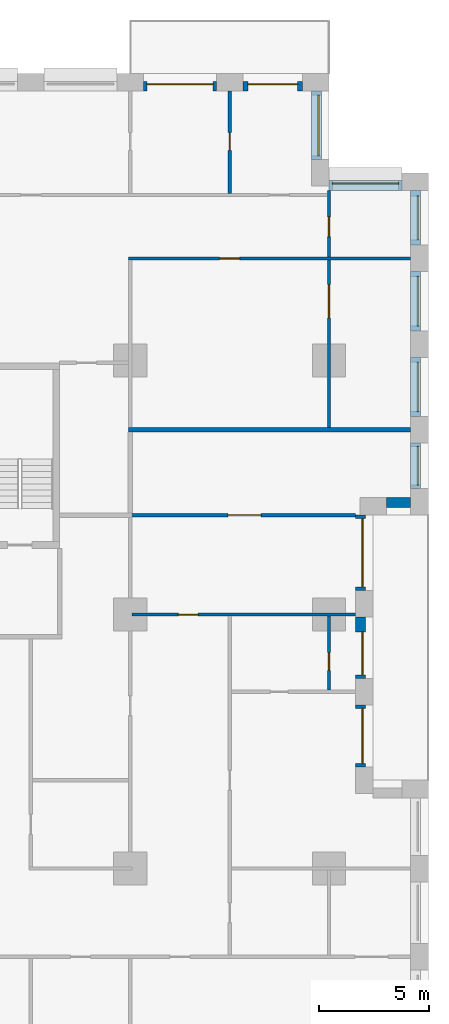
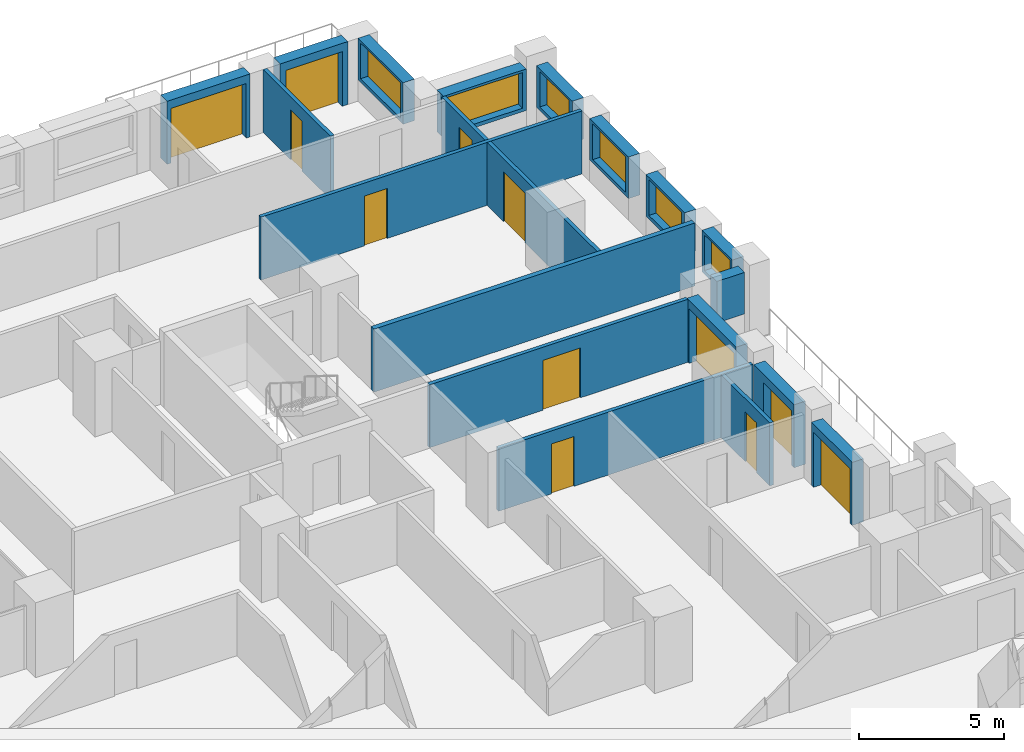
# One storey, part 17 of 20: 20 walls, 12 doors, 6 windows, 18 openings.
"""IFC4 building model written with IfcOpenShell, lengths in metres."""

from ifc_helpers import new_model, si_unit, direction, frame, frame_2d, origin, place, context, subcontext, project, spatial, rectangle, extrude, material, layer, layer_set, type_object, element, fill, save


model = new_model("IFC4")

# Units and contexts
model_context = context("Model", 3, precision=1e-05, world=origin(), true_north=direction((0.0, 1.0)))
body_context = subcontext(model_context, "Body", "Model", "MODEL_VIEW")
ifc_project = project(units=[si_unit("LENGTHUNIT", "METRE"), si_unit("AREAUNIT", "SQUARE_METRE"), si_unit("VOLUMEUNIT", "CUBIC_METRE"), si_unit("PLANEANGLEUNIT", "RADIAN"), si_unit("MASSUNIT", "GRAM", prefix="KILO")], contexts=[model_context])

# Site, building, storey
site_placement = place(None, origin())
site = spatial("IfcSite", under=ifc_project, at=site_placement, CompositionType="ELEMENT")
building_placement = place(site_placement, origin())
building = spatial("IfcBuilding", under=site, at=building_placement, Name="Brigalow Station Residences", CompositionType="ELEMENT")
storey_placement = place(building_placement, frame((0.0, 0.0, 69.89990234375)))
storey = spatial("IfcBuildingStorey", under=building, at=storey_placement, Name="L20", CompositionType="ELEMENT", Elevation=69.89990234375)

# Wall, opening, door
ifc_material_1 = material(Name="Clay brick masonry", Category="masonry")
ifc_layer_1 = layer(ifc_material_1, 0.449951171875)
ifc_layer_set_1 = layer_set([ifc_layer_1], Name="BRICK INFILL WALL 450")
wall_type_1 = type_object("IfcWallType", Name="BRICK INFILL WALL 450", PredefinedType="SOLIDWALL", material=ifc_layer_set_1)
wall_1_placement = place(storey_placement, frame((73.425048828125, 17.10009765625, 0.0), z_axis=(0.0, 0.0, 1.0), x_axis=(0.0, 1.0, 0.0)))
wall_1 = element("IfcWall", 1, at=wall_1_placement, inside=storey, type_object=wall_type_1, Name="L20/ewall/W-L20-15", PredefinedType="SOLIDWALL", context=body_context, shape_type="SweptSolid", body=[
    extrude(rectangle(XDim=2.7998046875, YDim=0.449951171875, at=frame_2d((1.39990234375, 0.0))), origin(), (0.0, 0.0, 1.0), 2.650146484375),
])
opening_1_placement = place(wall_1_placement, frame((0.14990234375, 0.0, 0.0)))
opening_1 = element("IfcOpeningElement", 2, at=opening_1_placement, cuts=wall_1, Name="Opening D-B2500", PredefinedType="OPENING", context=body_context, shape_type="SweptSolid", body=[
    extrude(rectangle(XDim=2.5, YDim=2.300048828125, at=frame_2d((1.25, 1.14990234375))), frame((0.0, 0.23486328125, 0.0), z_axis=(0.0, -1.0, 0.0), x_axis=(1.0, 0.0, 0.0)), (0.0, 0.0, 1.0), 0.469970703125),
])
ifc_material_2 = material(Name="Anodised aluminium frame with double glazing", Category="aluminium")
door_type_1 = type_object("IfcDoorType", Name="BALCONY SLIDING DOOR 2500x2300", OperationType="SLIDING_TO_LEFT", PredefinedType="DOOR", material=ifc_material_2)
door_1_placement = place(opening_1_placement, origin())
door_1 = element("IfcDoor", 3, at=door_1_placement, inside=storey, type_object=door_type_1, Name="L20/balcony-door/W-L20-15", OperationType="SLIDING_TO_LEFT", OverallHeight=2.300048828125, OverallWidth=2.5, PredefinedType="DOOR", context=body_context, shape_type="SweptSolid", body=[
    extrude(rectangle(XDim=2.5, YDim=2.300048828125, at=frame_2d((1.25, 1.14990234375))), frame((0.0, -0.06982421875, 0.0), z_axis=(0.0, -1.0, 0.0), x_axis=(1.0, 0.0, 0.0)), (0.0, 0.0, 1.0), 0.050048828125),
])
fill(opening_1, door_1)

wall_2_placement = place(storey_placement, frame((73.425048828125, 21.10009765625, 0.0), z_axis=(0.0, 0.0, 1.0), x_axis=(0.0, 1.0, 0.0)))
wall_2 = element("IfcWall", 4, at=wall_2_placement, inside=storey, type_object=wall_type_1, Name="L20/ewall/W-L20-16", PredefinedType="SOLIDWALL", context=body_context, shape_type="SweptSolid", body=[
    extrude(rectangle(XDim=2.7998046875, YDim=0.449951171875, at=frame_2d((1.39990234375, 0.0))), origin(), (0.0, 0.0, 1.0), 2.650146484375),
])
opening_2_placement = place(wall_2_placement, frame((0.1650390625, 0.0, 0.0)))
opening_2 = element("IfcOpeningElement", 5, at=opening_2_placement, cuts=wall_2, Name="Opening D-B1950", PredefinedType="OPENING", context=body_context, shape_type="SweptSolid", body=[
    extrude(rectangle(XDim=1.949951171875, YDim=2.300048828125, at=frame_2d((0.97509765625, 1.14990234375))), frame((0.0, 0.23486328125, 0.0), z_axis=(0.0, -1.0, 0.0), x_axis=(1.0, 0.0, 0.0)), (0.0, 0.0, 1.0), 0.469970703125),
])
ifc_material_3 = material(Name="Anodised aluminium frame with double glazing", Category="aluminium")
door_type_2 = type_object("IfcDoorType", Name="BALCONY SLIDING DOOR 1950x2300", OperationType="SLIDING_TO_LEFT", PredefinedType="DOOR", material=ifc_material_3)
door_2_placement = place(opening_2_placement, origin())
door_2 = element("IfcDoor", 6, at=door_2_placement, inside=storey, type_object=door_type_2, Name="L20/balcony-door/W-L20-16", OperationType="SLIDING_TO_LEFT", OverallHeight=2.300048828125, OverallWidth=1.949951171875, PredefinedType="DOOR", context=body_context, shape_type="SweptSolid", body=[
    extrude(rectangle(XDim=1.949951171875, YDim=2.300048828125, at=frame_2d((0.97509765625, 1.14990234375))), frame((0.0, -0.06982421875, 0.0), z_axis=(0.0, -1.0, 0.0), x_axis=(1.0, 0.0, 0.0)), (0.0, 0.0, 1.0), 0.050048828125),
])
fill(opening_2, door_2)

wall_3_placement = place(storey_placement, frame((73.425048828125, 25.10009765625, 0.0), z_axis=(0.0, 0.0, 1.0), x_axis=(0.0, 1.0, 0.0)))
wall_3 = element("IfcWall", 7, at=wall_3_placement, inside=storey, type_object=wall_type_1, Name="L20/ewall/W-L20-17", PredefinedType="SOLIDWALL", context=body_context, shape_type="SweptSolid", body=[
    extrude(rectangle(XDim=3.39990234375, YDim=0.449951171875, at=frame_2d((1.699951171875, 0.0))), origin(), (0.0, 0.0, 1.0), 2.650146484375),
])
opening_3_placement = place(wall_3_placement, frame((0.14990234375, 0.0, 0.0)))
opening_3 = element("IfcOpeningElement", 8, at=opening_3_placement, cuts=wall_3, Name="Opening D-B3100", PredefinedType="OPENING", context=body_context, shape_type="SweptSolid", body=[
    extrude(rectangle(XDim=3.10009765625, YDim=2.300048828125, at=frame_2d((1.550048828125, 1.14990234375))), frame((0.0, 0.23486328125, 0.0), z_axis=(0.0, -1.0, 0.0), x_axis=(1.0, 0.0, 0.0)), (0.0, 0.0, 1.0), 0.469970703125),
])
ifc_material_4 = material(Name="Anodised aluminium frame with double glazing", Category="aluminium")
door_type_3 = type_object("IfcDoorType", Name="BALCONY SLIDING DOOR 3100x2300", OperationType="SLIDING_TO_LEFT", PredefinedType="DOOR", material=ifc_material_4)
door_3_placement = place(opening_3_placement, origin())
door_3 = element("IfcDoor", 9, at=door_3_placement, inside=storey, type_object=door_type_3, Name="L20/balcony-door/W-L20-17", OperationType="SLIDING_TO_LEFT", OverallHeight=2.300048828125, OverallWidth=3.10009765625, PredefinedType="DOOR", context=body_context, shape_type="SweptSolid", body=[
    extrude(rectangle(XDim=3.10009765625, YDim=2.300048828125, at=frame_2d((1.550048828125, 1.14990234375))), frame((0.0, -0.06982421875, 0.0), z_axis=(0.0, -1.0, 0.0), x_axis=(1.0, 0.0, 0.0)), (0.0, 0.0, 1.0), 0.050048828125),
])
fill(opening_3, door_3)

# Wall
wall_4_placement = place(storey_placement, frame((74.60009765625, 29.074951171875, 0.900146484375), z_axis=(0.0, 0.0, 1.0), x_axis=(1.0, 0.0, 0.0)))
element("IfcWall", 10, at=wall_4_placement, inside=storey, type_object=wall_type_1, Name="L20/ewall/W-L20-18", PredefinedType="SOLIDWALL", context=body_context, shape_type="SweptSolid", body=[
    extrude(rectangle(XDim=1.099853515625, YDim=0.449951171875, at=frame_2d((0.5498046875, 0.0))), origin(), (0.0, 0.0, 1.0), 1.75),
])

# Wall, opening, window
wall_5_placement = place(storey_placement, frame((75.925048828125, 29.699951171875, 0.900146484375), z_axis=(0.0, 0.0, 1.0), x_axis=(0.0, 1.0, 0.0)))
wall_5 = element("IfcWall", 11, at=wall_5_placement, inside=storey, type_object=wall_type_1, Name="L20/ewall/W-L20-19", PredefinedType="SOLIDWALL", context=body_context, shape_type="SweptSolid", body=[
    extrude(rectangle(XDim=2.074951171875, YDim=0.449951171875, at=frame_2d((1.03759765625, 0.0))), origin(), (0.0, 0.0, 1.0), 1.75),
])
opening_4_placement = place(wall_5_placement, frame((0.16259765625, 0.0, 0.14990234375)))
opening_4 = element("IfcOpeningElement", 12, at=opening_4_placement, cuts=wall_5, Name="Opening WT-4", PredefinedType="OPENING", context=body_context, shape_type="SweptSolid", body=[
    extrude(rectangle(XDim=1.75, YDim=1.5, at=frame_2d((0.875, 0.75))), frame((0.0, 0.23486328125, 0.0), z_axis=(0.0, -1.0, 0.0), x_axis=(1.0, 0.0, 0.0)), (0.0, 0.0, 1.0), 0.469970703125),
])
ifc_material_5 = material(Name="Anodised aluminium frame with double glazing", Category="aluminium")
window_type_1 = type_object("IfcWindowType", Name="WINDOW 1750x1500", PartitioningType="SINGLE_PANEL", PredefinedType="WINDOW", material=ifc_material_5)
window_1_placement = place(opening_4_placement, origin())
window_1 = element("IfcWindow", 13, at=window_1_placement, inside=storey, type_object=window_type_1, Name="L20/window/W-L20-19", OverallHeight=1.5, OverallWidth=1.75, PartitioningType="SINGLE_PANEL", PredefinedType="WINDOW", context=body_context, shape_type="SweptSolid", body=[
    extrude(rectangle(XDim=1.75, YDim=1.5, at=frame_2d((0.875, 0.75))), frame((0.0, -0.06494140625, 0.0), z_axis=(0.0, -1.0, 0.0), x_axis=(1.0, 0.0, 0.0)), (0.0, 0.0, 1.0), 0.06005859375),
])
fill(opening_4, window_1)

wall_6_placement = place(storey_placement, frame((75.925048828125, 32.97509765625, 0.900146484375), z_axis=(0.0, 0.0, 1.0), x_axis=(0.0, 1.0, 0.0)))
wall_6 = element("IfcWall", 14, at=wall_6_placement, inside=storey, type_object=wall_type_1, Name="L20/ewall/W-L20-20", PredefinedType="SOLIDWALL", context=body_context, shape_type="SweptSolid", body=[
    extrude(rectangle(XDim=2.6748046875, YDim=0.449951171875, at=frame_2d((1.33740234375, 0.0))), origin(), (0.0, 0.0, 1.0), 1.75),
])
opening_5_placement = place(wall_6_placement, frame((0.21240234375, 0.0, 0.14990234375)))
opening_5 = element("IfcOpeningElement", 15, at=opening_5_placement, cuts=wall_6, Name="Opening WT-6", PredefinedType="OPENING", context=body_context, shape_type="SweptSolid", body=[
    extrude(rectangle(XDim=2.25, YDim=1.5, at=frame_2d((1.125, 0.75))), frame((0.0, 0.23486328125, 0.0), z_axis=(0.0, -1.0, 0.0), x_axis=(1.0, 0.0, 0.0)), (0.0, 0.0, 1.0), 0.469970703125),
])
ifc_material_6 = material(Name="Anodised aluminium frame with double glazing", Category="aluminium")
window_type_2 = type_object("IfcWindowType", Name="WINDOW 2250x1500", PartitioningType="SINGLE_PANEL", PredefinedType="WINDOW", material=ifc_material_6)
window_2_placement = place(opening_5_placement, origin())
window_2 = element("IfcWindow", 16, at=window_2_placement, inside=storey, type_object=window_type_2, Name="L20/window/W-L20-20", OverallHeight=1.5, OverallWidth=2.25, PartitioningType="SINGLE_PANEL", PredefinedType="WINDOW", context=body_context, shape_type="SweptSolid", body=[
    extrude(rectangle(XDim=2.25, YDim=1.5, at=frame_2d((1.125, 0.75))), frame((0.0, -0.06494140625, 0.0), z_axis=(0.0, -1.0, 0.0), x_axis=(1.0, 0.0, 0.0)), (0.0, 0.0, 1.0), 0.06005859375),
])
fill(opening_5, window_2)

wall_7_placement = place(storey_placement, frame((75.925048828125, 36.85009765625, 0.900146484375), z_axis=(0.0, 0.0, 1.0), x_axis=(0.0, 1.0, 0.0)))
wall_7 = element("IfcWall", 17, at=wall_7_placement, inside=storey, type_object=wall_type_1, Name="L20/ewall/W-L20-21", PredefinedType="SOLIDWALL", context=body_context, shape_type="SweptSolid", body=[
    extrude(rectangle(XDim=2.6748046875, YDim=0.449951171875, at=frame_2d((1.33740234375, 0.0))), origin(), (0.0, 0.0, 1.0), 1.75),
])
opening_6_placement = place(wall_7_placement, frame((0.21240234375, 0.0, 0.14990234375)))
opening_6 = element("IfcOpeningElement", 18, at=opening_6_placement, cuts=wall_7, Name="Opening WT-6", PredefinedType="OPENING", context=body_context, shape_type="SweptSolid", body=[
    extrude(rectangle(XDim=2.25, YDim=1.5, at=frame_2d((1.125, 0.75))), frame((0.0, 0.23486328125, 0.0), z_axis=(0.0, -1.0, 0.0), x_axis=(1.0, 0.0, 0.0)), (0.0, 0.0, 1.0), 0.469970703125),
])
window_3_placement = place(opening_6_placement, origin())
window_3 = element("IfcWindow", 19, at=window_3_placement, inside=storey, type_object=window_type_2, Name="L20/window/W-L20-21", OverallHeight=1.5, OverallWidth=2.25, PartitioningType="SINGLE_PANEL", PredefinedType="WINDOW", context=body_context, shape_type="SweptSolid", body=[
    extrude(rectangle(XDim=2.25, YDim=1.5, at=frame_2d((1.125, 0.75))), frame((0.0, -0.06494140625, 0.0), z_axis=(0.0, -1.0, 0.0), x_axis=(1.0, 0.0, 0.0)), (0.0, 0.0, 1.0), 0.06005859375),
])
fill(opening_6, window_3)

wall_8_placement = place(storey_placement, frame((75.925048828125, 40.72509765625, 0.900146484375), z_axis=(0.0, 0.0, 1.0), x_axis=(0.0, 1.0, 0.0)))
wall_8 = element("IfcWall", 20, at=wall_8_placement, inside=storey, type_object=wall_type_1, Name="L20/ewall/W-L20-22", PredefinedType="SOLIDWALL", context=body_context, shape_type="SweptSolid", body=[
    extrude(rectangle(XDim=2.474853515625, YDim=0.449951171875, at=frame_2d((1.2373046875, 0.0))), origin(), (0.0, 0.0, 1.0), 1.75),
])
opening_7_placement = place(wall_8_placement, frame((0.237548828125, 0.0, 0.14990234375)))
opening_7 = element("IfcOpeningElement", 21, at=opening_7_placement, cuts=wall_8, Name="Opening WT-7", PredefinedType="OPENING", context=body_context, shape_type="SweptSolid", body=[
    extrude(rectangle(XDim=2.0, YDim=1.5, at=frame_2d((1.0, 0.75))), frame((0.0, 0.23486328125, 0.0), z_axis=(0.0, -1.0, 0.0), x_axis=(1.0, 0.0, 0.0)), (0.0, 0.0, 1.0), 0.469970703125),
])
ifc_material_7 = material(Name="Anodised aluminium frame with double glazing", Category="aluminium")
window_type_3 = type_object("IfcWindowType", Name="WINDOW 2000x1500", PartitioningType="SINGLE_PANEL", PredefinedType="WINDOW", material=ifc_material_7)
window_4_placement = place(opening_7_placement, origin())
window_4 = element("IfcWindow", 22, at=window_4_placement, inside=storey, type_object=window_type_3, Name="L20/window/W-L20-22", OverallHeight=1.5, OverallWidth=2.0, PartitioningType="SINGLE_PANEL", PredefinedType="WINDOW", context=body_context, shape_type="SweptSolid", body=[
    extrude(rectangle(XDim=2.0, YDim=1.5, at=frame_2d((1.0, 0.75))), frame((0.0, -0.06494140625, 0.0), z_axis=(0.0, -1.0, 0.0), x_axis=(1.0, 0.0, 0.0)), (0.0, 0.0, 1.0), 0.06005859375),
])
fill(opening_7, window_4)

wall_9_placement = place(storey_placement, frame((75.300048828125, 43.425048828125, 0.900146484375), z_axis=(0.0, 0.0, 1.0), x_axis=(-1.0, 0.0, 0.0)))
wall_9 = element("IfcWall", 23, at=wall_9_placement, inside=storey, type_object=wall_type_1, Name="L20/ewall/W-L20-23", PredefinedType="SOLIDWALL", context=body_context, shape_type="SweptSolid", body=[
    extrude(rectangle(XDim=3.300048828125, YDim=0.449951171875, at=frame_2d((1.64990234375, 0.0))), origin(), (0.0, 0.0, 1.0), 1.75),
])
opening_8_placement = place(wall_9_placement, frame((0.14990234375, 0.0, 0.14990234375)))
opening_8 = element("IfcOpeningElement", 24, at=opening_8_placement, cuts=wall_9, Name="Opening WT-2", PredefinedType="OPENING", context=body_context, shape_type="SweptSolid", body=[
    extrude(rectangle(XDim=3.0, YDim=1.5, at=frame_2d((1.5, 0.75))), frame((0.0, 0.23486328125, 0.0), z_axis=(0.0, -1.0, 0.0), x_axis=(1.0, 0.0, 0.0)), (0.0, 0.0, 1.0), 0.469970703125),
])
ifc_material_8 = material(Name="Anodised aluminium frame with double glazing", Category="aluminium")
window_type_4 = type_object("IfcWindowType", Name="WINDOW 3000x1500", PartitioningType="SINGLE_PANEL", PredefinedType="WINDOW", material=ifc_material_8)
window_5_placement = place(opening_8_placement, origin())
window_5 = element("IfcWindow", 25, at=window_5_placement, inside=storey, type_object=window_type_4, Name="L20/window/W-L20-23", OverallHeight=1.5, OverallWidth=3.0, PartitioningType="SINGLE_PANEL", PredefinedType="WINDOW", context=body_context, shape_type="SweptSolid", body=[
    extrude(rectangle(XDim=3.0, YDim=1.5, at=frame_2d((1.5, 0.75))), frame((0.0, -0.06494140625, 0.0), z_axis=(0.0, -1.0, 0.0), x_axis=(1.0, 0.0, 0.0)), (0.0, 0.0, 1.0), 0.06005859375),
])
fill(opening_8, window_5)

wall_10_placement = place(storey_placement, frame((71.425048828125, 44.60009765625, 0.900146484375), z_axis=(0.0, 0.0, 1.0), x_axis=(0.0, 1.0, 0.0)))
wall_10 = element("IfcWall", 26, at=wall_10_placement, inside=storey, type_object=wall_type_1, Name="L20/ewall/W-L20-24", PredefinedType="SOLIDWALL", context=body_context, shape_type="SweptSolid", body=[
    extrude(rectangle(XDim=3.099853515625, YDim=0.449951171875, at=frame_2d((1.5498046875, 0.0))), origin(), (0.0, 0.0, 1.0), 1.75),
])
opening_9_placement = place(wall_10_placement, frame((0.175048828125, 0.0, 0.14990234375)))
opening_9 = element("IfcOpeningElement", 27, at=opening_9_placement, cuts=wall_10, Name="Opening WT-3", PredefinedType="OPENING", context=body_context, shape_type="SweptSolid", body=[
    extrude(rectangle(XDim=2.75, YDim=1.5, at=frame_2d((1.375, 0.75))), frame((0.0, 0.23486328125, 0.0), z_axis=(0.0, -1.0, 0.0), x_axis=(1.0, 0.0, 0.0)), (0.0, 0.0, 1.0), 0.469970703125),
])
ifc_material_9 = material(Name="Anodised aluminium frame with double glazing", Category="aluminium")
window_type_5 = type_object("IfcWindowType", Name="WINDOW 2750x1500", PartitioningType="SINGLE_PANEL", PredefinedType="WINDOW", material=ifc_material_9)
window_6_placement = place(opening_9_placement, origin())
window_6 = element("IfcWindow", 28, at=window_6_placement, inside=storey, type_object=window_type_5, Name="L20/window/W-L20-24", OverallHeight=1.5, OverallWidth=2.75, PartitioningType="SINGLE_PANEL", PredefinedType="WINDOW", context=body_context, shape_type="SweptSolid", body=[
    extrude(rectangle(XDim=2.75, YDim=1.5, at=frame_2d((1.375, 0.75))), frame((0.0, -0.06494140625, 0.0), z_axis=(0.0, -1.0, 0.0), x_axis=(1.0, 0.0, 0.0)), (0.0, 0.0, 1.0), 0.06005859375),
])
fill(opening_9, window_6)

# Wall, opening, door
wall_11_placement = place(storey_placement, frame((70.800048828125, 47.925048828125, 0.0), z_axis=(0.0, 0.0, 1.0), x_axis=(-1.0, 0.0, 0.0)))
wall_11 = element("IfcWall", 29, at=wall_11_placement, inside=storey, type_object=wall_type_1, Name="L20/ewall/W-L20-25", PredefinedType="SOLIDWALL", context=body_context, shape_type="SweptSolid", body=[
    extrude(rectangle(XDim=2.699951171875, YDim=0.449951171875, at=frame_2d((1.35009765625, 0.0))), origin(), (0.0, 0.0, 1.0), 2.650146484375),
])
opening_10_placement = place(wall_11_placement, frame((0.22509765625, 0.0, 0.0)))
opening_10 = element("IfcOpeningElement", 30, at=opening_10_placement, cuts=wall_11, Name="Opening D-B2250", PredefinedType="OPENING", context=body_context, shape_type="SweptSolid", body=[
    extrude(rectangle(XDim=2.25, YDim=2.300048828125, at=frame_2d((1.125, 1.14990234375))), frame((0.0, 0.23486328125, 0.0), z_axis=(0.0, -1.0, 0.0), x_axis=(1.0, 0.0, 0.0)), (0.0, 0.0, 1.0), 0.469970703125),
])
ifc_material_10 = material(Name="Anodised aluminium frame with double glazing", Category="aluminium")
door_type_4 = type_object("IfcDoorType", Name="BALCONY SLIDING DOOR 2250x2300", OperationType="SLIDING_TO_LEFT", PredefinedType="DOOR", material=ifc_material_10)
door_4_placement = place(opening_10_placement, origin())
door_4 = element("IfcDoor", 31, at=door_4_placement, inside=storey, type_object=door_type_4, Name="L20/balcony-door/W-L20-25", OperationType="SLIDING_TO_LEFT", OverallHeight=2.300048828125, OverallWidth=2.25, PredefinedType="DOOR", context=body_context, shape_type="SweptSolid", body=[
    extrude(rectangle(XDim=2.25, YDim=2.300048828125, at=frame_2d((1.125, 1.14990234375))), frame((0.0, -0.06982421875, 0.0), z_axis=(0.0, -1.0, 0.0), x_axis=(1.0, 0.0, 0.0)), (0.0, 0.0, 1.0), 0.050048828125),
])
fill(opening_10, door_4)

wall_12_placement = place(storey_placement, frame((66.89990234375, 47.925048828125, 0.0), z_axis=(0.0, 0.0, 1.0), x_axis=(-1.0, 0.0, 0.0)))
wall_12 = element("IfcWall", 32, at=wall_12_placement, inside=storey, type_object=wall_type_1, Name="L20/ewall/W-L20-26", PredefinedType="SOLIDWALL", context=body_context, shape_type="SweptSolid", body=[
    extrude(rectangle(XDim=3.2998046875, YDim=0.449951171875, at=frame_2d((1.64990234375, 0.0))), origin(), (0.0, 0.0, 1.0), 2.650146484375),
])
opening_11_placement = place(wall_12_placement, frame((0.14990234375, 0.0, 0.0)))
opening_11 = element("IfcOpeningElement", 33, at=opening_11_placement, cuts=wall_12, Name="Opening D-B3000", PredefinedType="OPENING", context=body_context, shape_type="SweptSolid", body=[
    extrude(rectangle(XDim=3.0, YDim=2.300048828125, at=frame_2d((1.5, 1.14990234375))), frame((0.0, 0.23486328125, 0.0), z_axis=(0.0, -1.0, 0.0), x_axis=(1.0, 0.0, 0.0)), (0.0, 0.0, 1.0), 0.469970703125),
])
ifc_material_11 = material(Name="Anodised aluminium frame with double glazing", Category="aluminium")
door_type_5 = type_object("IfcDoorType", Name="BALCONY SLIDING DOOR 3000x2300", OperationType="SLIDING_TO_LEFT", PredefinedType="DOOR", material=ifc_material_11)
door_5_placement = place(opening_11_placement, origin())
door_5 = element("IfcDoor", 34, at=door_5_placement, inside=storey, type_object=door_type_5, Name="L20/balcony-door/W-L20-26", OperationType="SLIDING_TO_LEFT", OverallHeight=2.300048828125, OverallWidth=3.0, PredefinedType="DOOR", context=body_context, shape_type="SweptSolid", body=[
    extrude(rectangle(XDim=3.0, YDim=2.300048828125, at=frame_2d((1.5, 1.14990234375))), frame((0.0, -0.06982421875, 0.0), z_axis=(0.0, -1.0, 0.0), x_axis=(1.0, 0.0, 0.0)), (0.0, 0.0, 1.0), 0.050048828125),
])
fill(opening_11, door_5)

ifc_material_12 = material(Name="Plasterboard on steel stud partition", Category="steel")
ifc_layer_2 = layer(ifc_material_12, 0.14990234375)
ifc_layer_set_2 = layer_set([ifc_layer_2], Name="FLAT PARTITION 150")
wall_type_2 = type_object("IfcWallType", Name="FLAT PARTITION 150", PredefinedType="PARTITIONING", material=ifc_layer_set_2)
wall_13_placement = place(storey_placement, frame((63.074951171875, 24.0, 0.0), z_axis=(0.0, 0.0, 1.0), x_axis=(1.0, 0.0, 0.0)))
wall_13 = element("IfcWall", 35, at=wall_13_placement, inside=storey, type_object=wall_type_2, Name="PW-1G03", PredefinedType="PARTITIONING", context=body_context, shape_type="SweptSolid", body=[
    extrude(rectangle(XDim=10.125, YDim=0.14990234375, at=frame_2d((5.0625, 0.0))), origin(), (0.0, 0.0, 1.0), 2.650146484375),
])
opening_12_placement = place(wall_13_placement, frame((2.10009765625, 0.0, 0.0)))
opening_12 = element("IfcOpeningElement", 36, at=opening_12_placement, cuts=wall_13, Name="Opening D-1G55", PredefinedType="OPENING", context=body_context, shape_type="SweptSolid", body=[
    extrude(rectangle(XDim=0.89990234375, YDim=2.10009765625, at=frame_2d((0.449951171875, 1.050048828125))), frame((0.0, 0.0849609375, 0.0), z_axis=(0.0, -1.0, 0.0), x_axis=(1.0, 0.0, 0.0)), (0.0, 0.0, 1.0), 0.169921875),
])
ifc_material_13 = material(Name="Solid-core timber door leaf", Category="wood")
door_type_6 = type_object("IfcDoorType", Name="INTERNAL DOOR 900 x 2100", OperationType="SINGLE_SWING_LEFT", PredefinedType="DOOR", material=ifc_material_13)
door_6_placement = place(opening_12_placement, origin())
door_6 = element("IfcDoor", 37, at=door_6_placement, inside=storey, type_object=door_type_6, Name="D-1G55", OperationType="SINGLE_SWING_LEFT", OverallHeight=2.10009765625, OverallWidth=0.89990234375, PredefinedType="DOOR", context=body_context, shape_type="SweptSolid", body=[
    extrude(rectangle(XDim=0.89990234375, YDim=2.10009765625, at=frame_2d((0.449951171875, 1.050048828125))), frame((0.0, 0.02490234375, 0.0), z_axis=(0.0, -1.0, 0.0), x_axis=(1.0, 0.0, 0.0)), (0.0, 0.0, 1.0), 0.050048828125),
])
fill(opening_12, door_6)

wall_14_placement = place(storey_placement, frame((62.925048828125, 28.5, 0.0), z_axis=(0.0, 0.0, 1.0), x_axis=(1.0, 0.0, 0.0)))
wall_14 = element("IfcWall", 38, at=wall_14_placement, inside=storey, type_object=wall_type_2, Name="PW-1G22", PredefinedType="PARTITIONING", context=body_context, shape_type="SweptSolid", body=[
    extrude(rectangle(XDim=10.27490234375, YDim=0.14990234375, at=frame_2d((5.137451171875, 0.0))), origin(), (0.0, 0.0, 1.0), 2.650146484375),
])
opening_13_placement = place(wall_14_placement, frame((4.5, 0.0, 0.0)))
opening_13 = element("IfcOpeningElement", 39, at=opening_13_placement, cuts=wall_14, Name="Opening D-1G54", PredefinedType="OPENING", context=body_context, shape_type="SweptSolid", body=[
    extrude(rectangle(XDim=1.5, YDim=2.10009765625, at=frame_2d((0.75, 1.050048828125))), frame((0.0, 0.0849609375, 0.0), z_axis=(0.0, -1.0, 0.0), x_axis=(1.0, 0.0, 0.0)), (0.0, 0.0, 1.0), 0.169921875),
])
ifc_material_14 = material(Name="Solid-core timber door leaf", Category="wood")
door_type_7 = type_object("IfcDoorType", Name="INTERNAL DOUBLE DOOR 1500 x 2100", OperationType="DOUBLE_DOOR_SINGLE_SWING", PredefinedType="DOOR", material=ifc_material_14)
door_7_placement = place(opening_13_placement, frame((1.5, 0.0, 0.0), z_axis=(0.0, 0.0, 1.0), x_axis=(-1.0, 0.0, 0.0)))
door_7 = element("IfcDoor", 40, at=door_7_placement, inside=storey, type_object=door_type_7, Name="D-1G54", OperationType="DOUBLE_DOOR_SINGLE_SWING", OverallHeight=2.10009765625, OverallWidth=1.5, PredefinedType="DOOR", context=body_context, shape_type="SweptSolid", body=[
    extrude(rectangle(XDim=1.5, YDim=2.10009765625, at=frame_2d((0.75, 1.050048828125))), frame((0.0, 0.02490234375, 0.0), z_axis=(0.0, -1.0, 0.0), x_axis=(1.0, 0.0, 0.0)), (0.0, 0.0, 1.0), 0.050048828125),
])
fill(opening_13, door_7)

wall_15_placement = place(storey_placement, frame((62.925048828125, 40.125, 0.0), z_axis=(0.0, 0.0, 1.0), x_axis=(1.0, 0.0, 0.0)))
wall_15 = element("IfcWall", 41, at=wall_15_placement, inside=storey, type_object=wall_type_2, Name="PW-1G25", PredefinedType="PARTITIONING", context=body_context, shape_type="SweptSolid", body=[
    extrude(rectangle(XDim=12.77490234375, YDim=0.14990234375, at=frame_2d((6.387451171875, 0.0))), origin(), (0.0, 0.0, 1.0), 2.650146484375),
])
opening_14_placement = place(wall_15_placement, frame((4.125, 0.0, 0.0)))
opening_14 = element("IfcOpeningElement", 42, at=opening_14_placement, cuts=wall_15, Name="Opening D-1G45", PredefinedType="OPENING", context=body_context, shape_type="SweptSolid", body=[
    extrude(rectangle(XDim=0.89990234375, YDim=2.10009765625, at=frame_2d((0.449951171875, 1.050048828125))), frame((0.0, 0.0849609375, 0.0), z_axis=(0.0, -1.0, 0.0), x_axis=(1.0, 0.0, 0.0)), (0.0, 0.0, 1.0), 0.169921875),
])
door_8_placement = place(opening_14_placement, frame((0.89990234375, 0.0, 0.0), z_axis=(0.0, 0.0, 1.0), x_axis=(-1.0, 0.0, 0.0)))
door_8 = element("IfcDoor", 43, at=door_8_placement, inside=storey, type_object=door_type_6, Name="D-1G45", OperationType="SINGLE_SWING_RIGHT", OverallHeight=2.10009765625, OverallWidth=0.89990234375, PredefinedType="DOOR", context=body_context, shape_type="SweptSolid", body=[
    extrude(rectangle(XDim=0.89990234375, YDim=2.10009765625, at=frame_2d((0.449951171875, 1.050048828125))), frame((0.0, 0.02490234375, 0.0), z_axis=(0.0, -1.0, 0.0), x_axis=(1.0, 0.0, 0.0)), (0.0, 0.0, 1.0), 0.050048828125),
])
fill(opening_14, door_8)

wall_16_placement = place(storey_placement, frame((72.0, 20.574951171875, 0.0), z_axis=(0.0, 0.0, 1.0), x_axis=(0.0, 1.0, 0.0)))
wall_16 = element("IfcWall", 44, at=wall_16_placement, inside=storey, type_object=wall_type_2, Name="PW-1G73", PredefinedType="PARTITIONING", context=body_context, shape_type="SweptSolid", body=[
    extrude(rectangle(XDim=3.35009765625, YDim=0.14990234375, at=frame_2d((1.675048828125, 0.0))), origin(), (0.0, 0.0, 1.0), 2.650146484375),
])
opening_15_placement = place(wall_16_placement, frame((0.89990234375, 0.0, 0.0)))
opening_15 = element("IfcOpeningElement", 45, at=opening_15_placement, cuts=wall_16, Name="Opening D-1G57", PredefinedType="OPENING", context=body_context, shape_type="SweptSolid", body=[
    extrude(rectangle(XDim=0.800048828125, YDim=2.10009765625, at=frame_2d((0.39990234375, 1.050048828125))), frame((0.0, 0.0849609375, 0.0), z_axis=(0.0, -1.0, 0.0), x_axis=(1.0, 0.0, 0.0)), (0.0, 0.0, 1.0), 0.169921875),
])
ifc_material_15 = material(Name="Solid-core timber door leaf", Category="wood")
door_type_8 = type_object("IfcDoorType", Name="INTERNAL DOOR 800 x 2100", OperationType="SINGLE_SWING_LEFT", PredefinedType="DOOR", material=ifc_material_15)
door_9_placement = place(opening_15_placement, frame((0.800048828125, 0.0, 0.0), z_axis=(0.0, 0.0, 1.0), x_axis=(-1.0, 0.0, 0.0)))
door_9 = element("IfcDoor", 46, at=door_9_placement, inside=storey, type_object=door_type_8, Name="D-1G57", OperationType="SINGLE_SWING_RIGHT", OverallHeight=2.10009765625, OverallWidth=0.800048828125, PredefinedType="DOOR", context=body_context, shape_type="SweptSolid", body=[
    extrude(rectangle(XDim=0.800048828125, YDim=2.10009765625, at=frame_2d((0.39990234375, 1.050048828125))), frame((0.0, 0.02490234375, 0.0), z_axis=(0.0, -1.0, 0.0), x_axis=(1.0, 0.0, 0.0)), (0.0, 0.0, 1.0), 0.050048828125),
])
fill(opening_15, door_9)

wall_17_placement = place(storey_placement, frame((72.0, 32.47509765625, 0.0), z_axis=(0.0, 0.0, 1.0), x_axis=(0.0, 1.0, 0.0)))
wall_17 = element("IfcWall", 47, at=wall_17_placement, inside=storey, type_object=wall_type_2, Name="PW-1G74", PredefinedType="PARTITIONING", context=body_context, shape_type="SweptSolid", body=[
    extrude(rectangle(XDim=7.574951171875, YDim=0.14990234375, at=frame_2d((3.78759765625, 0.0))), origin(), (0.0, 0.0, 1.0), 2.650146484375),
])
opening_16_placement = place(wall_17_placement, frame((4.962890625, 0.0, 0.0)))
opening_16 = element("IfcOpeningElement", 48, at=opening_16_placement, cuts=wall_17, Name="Opening D-1G50", PredefinedType="OPENING", context=body_context, shape_type="SweptSolid", body=[
    extrude(rectangle(XDim=1.5, YDim=2.10009765625, at=frame_2d((0.75, 1.050048828125))), frame((0.0, 0.0849609375, 0.0), z_axis=(0.0, -1.0, 0.0), x_axis=(1.0, 0.0, 0.0)), (0.0, 0.0, 1.0), 0.169921875),
])
door_10_placement = place(opening_16_placement, frame((1.5, 0.0, 0.0), z_axis=(0.0, 0.0, 1.0), x_axis=(-1.0, 0.0, 0.0)))
door_10 = element("IfcDoor", 49, at=door_10_placement, inside=storey, type_object=door_type_7, Name="D-1G50", OperationType="DOUBLE_DOOR_SINGLE_SWING", OverallHeight=2.10009765625, OverallWidth=1.5, PredefinedType="DOOR", context=body_context, shape_type="SweptSolid", body=[
    extrude(rectangle(XDim=1.5, YDim=2.10009765625, at=frame_2d((0.75, 1.050048828125))), frame((0.0, 0.02490234375, 0.0), z_axis=(0.0, -1.0, 0.0), x_axis=(1.0, 0.0, 0.0)), (0.0, 0.0, 1.0), 0.050048828125),
])
fill(opening_16, door_10)

wall_18_placement = place(storey_placement, frame((72.0, 40.199951171875, 0.0), z_axis=(0.0, 0.0, 1.0), x_axis=(0.0, 1.0, 0.0)))
wall_18 = element("IfcWall", 50, at=wall_18_placement, inside=storey, type_object=wall_type_2, Name="PW-1G75", PredefinedType="PARTITIONING", context=body_context, shape_type="SweptSolid", body=[
    extrude(rectangle(XDim=3.0, YDim=0.14990234375, at=frame_2d((1.5, 0.0))), origin(), (0.0, 0.0, 1.0), 2.650146484375),
])
opening_17_placement = place(wall_18_placement, frame((0.912109375, 0.0, 0.0)))
opening_17 = element("IfcOpeningElement", 51, at=opening_17_placement, cuts=wall_18, Name="Opening D-1G46", PredefinedType="OPENING", context=body_context, shape_type="SweptSolid", body=[
    extrude(rectangle(XDim=0.89990234375, YDim=2.10009765625, at=frame_2d((0.449951171875, 1.050048828125))), frame((0.0, 0.0849609375, 0.0), z_axis=(0.0, -1.0, 0.0), x_axis=(1.0, 0.0, 0.0)), (0.0, 0.0, 1.0), 0.169921875),
])
door_11_placement = place(opening_17_placement, frame((0.89990234375, 0.0, 0.0), z_axis=(0.0, 0.0, 1.0), x_axis=(-1.0, 0.0, 0.0)))
door_11 = element("IfcDoor", 52, at=door_11_placement, inside=storey, type_object=door_type_6, Name="D-1G46", OperationType="SINGLE_SWING_RIGHT", OverallHeight=2.10009765625, OverallWidth=0.89990234375, PredefinedType="DOOR", context=body_context, shape_type="SweptSolid", body=[
    extrude(rectangle(XDim=0.89990234375, YDim=2.10009765625, at=frame_2d((0.449951171875, 1.050048828125))), frame((0.0, 0.02490234375, 0.0), z_axis=(0.0, -1.0, 0.0), x_axis=(1.0, 0.0, 0.0)), (0.0, 0.0, 1.0), 0.050048828125),
])
fill(opening_17, door_11)

wall_19_placement = place(storey_placement, frame((67.5, 43.074951171875, 0.0), z_axis=(0.0, 0.0, 1.0), x_axis=(0.0, 1.0, 0.0)))
wall_19 = element("IfcWall", 53, at=wall_19_placement, inside=storey, type_object=wall_type_2, Name="PW-1G78", PredefinedType="PARTITIONING", context=body_context, shape_type="SweptSolid", body=[
    extrude(rectangle(XDim=4.625, YDim=0.14990234375, at=frame_2d((2.3125, 0.0))), origin(), (0.0, 0.0, 1.0), 2.650146484375),
])
opening_18_placement = place(wall_19_placement, frame((1.949951171875, 0.0, 0.0)))
opening_18 = element("IfcOpeningElement", 54, at=opening_18_placement, cuts=wall_19, Name="Opening D-1G37", PredefinedType="OPENING", context=body_context, shape_type="SweptSolid", body=[
    extrude(rectangle(XDim=0.800048828125, YDim=2.10009765625, at=frame_2d((0.39990234375, 1.050048828125))), frame((0.0, 0.0849609375, 0.0), z_axis=(0.0, -1.0, 0.0), x_axis=(1.0, 0.0, 0.0)), (0.0, 0.0, 1.0), 0.169921875),
])
door_12_placement = place(opening_18_placement, origin())
door_12 = element("IfcDoor", 55, at=door_12_placement, inside=storey, type_object=door_type_8, Name="D-1G37", OperationType="SINGLE_SWING_RIGHT", OverallHeight=2.10009765625, OverallWidth=0.800048828125, PredefinedType="DOOR", context=body_context, shape_type="SweptSolid", body=[
    extrude(rectangle(XDim=0.800048828125, YDim=2.10009765625, at=frame_2d((0.39990234375, 1.050048828125))), frame((0.0, 0.02490234375, 0.0), z_axis=(0.0, -1.0, 0.0), x_axis=(1.0, 0.0, 0.0)), (0.0, 0.0, 1.0), 0.050048828125),
])
fill(opening_18, door_12)

# Wall
ifc_material_16 = material(Name="Plasterboard on steel stud partition", Category="steel")
ifc_layer_3 = layer(ifc_material_16, 0.199951171875)
ifc_layer_set_3 = layer_set([ifc_layer_3], Name="PARTY AND CORRIDOR WALL 200")
wall_type_3 = type_object("IfcWallType", Name="PARTY AND CORRIDOR WALL 200", PredefinedType="PARTITIONING", material=ifc_layer_set_3)
wall_20_placement = place(storey_placement, frame((62.925048828125, 32.375, 0.0), z_axis=(0.0, 0.0, 1.0), x_axis=(1.0, 0.0, 0.0)))
element("IfcWall", 56, at=wall_20_placement, inside=storey, type_object=wall_type_3, Name="PW-1G18", PredefinedType="PARTITIONING", context=body_context, shape_type="SweptSolid", body=[
    extrude(rectangle(XDim=12.77490234375, YDim=0.199951171875, at=frame_2d((6.387451171875, 0.0))), origin(), (0.0, 0.0, 1.0), 2.650146484375),
])

save(model, "model.ifc")
